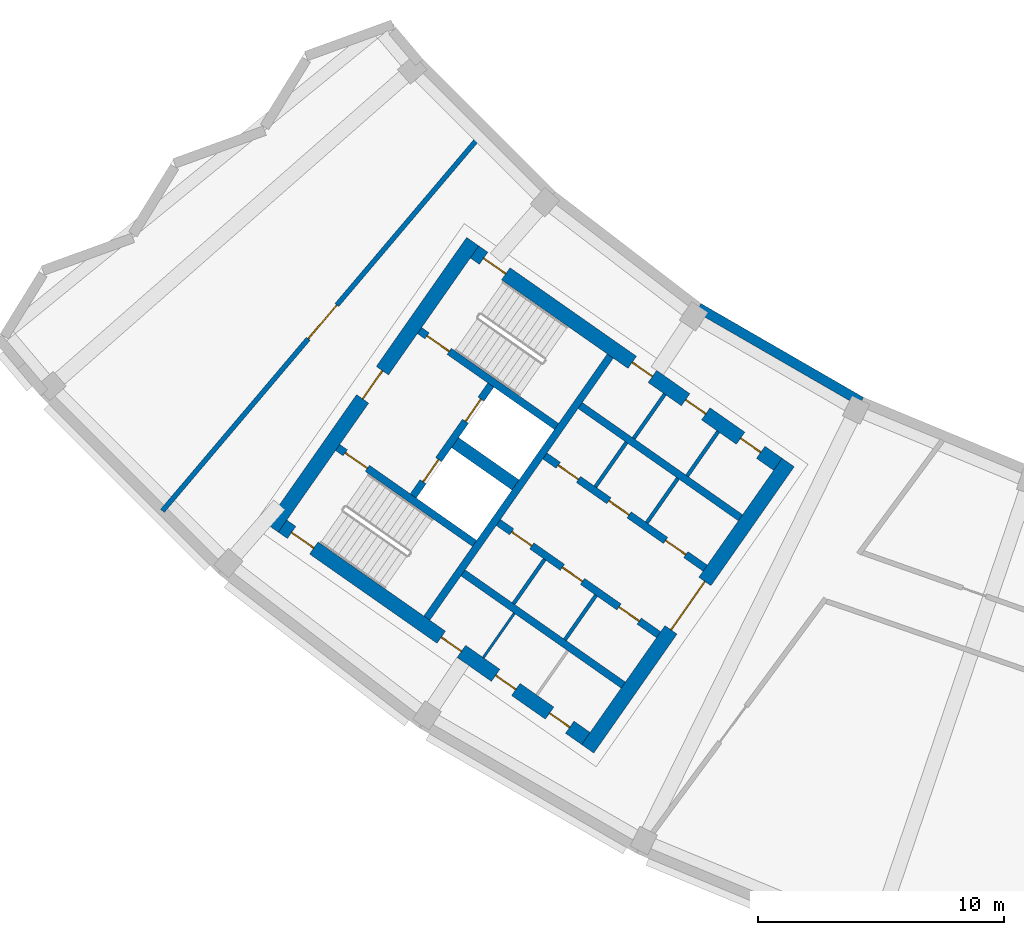
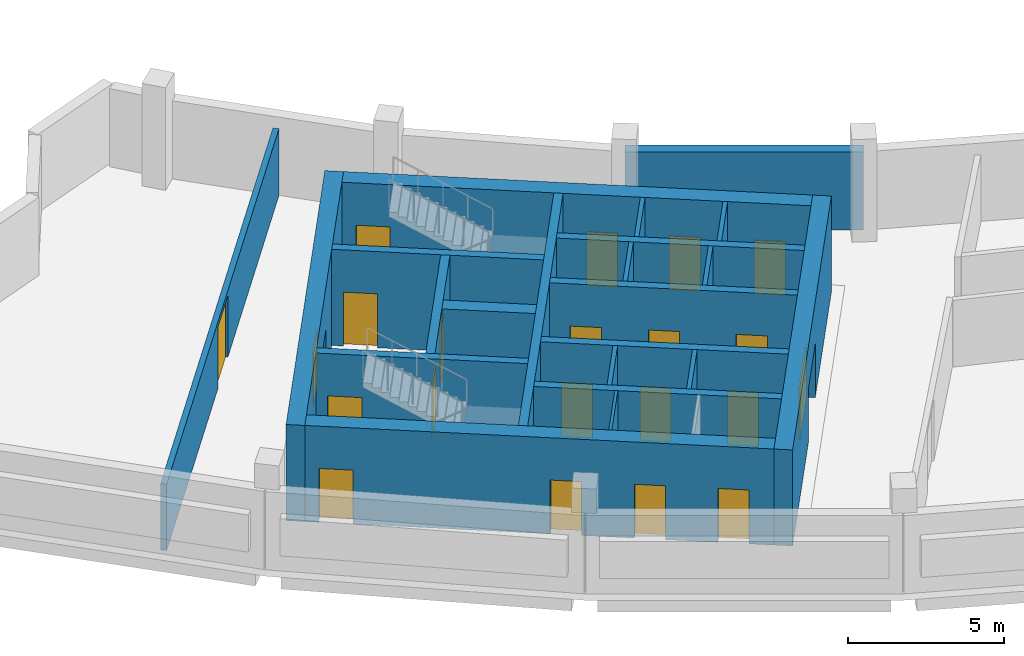
# One storey, part 3 of 11: 22 walls, 21 doors, 21 openings.
"""IFC4 building model written with IfcOpenShell, lengths in metres."""

from ifc_helpers import new_model, si_unit, direction, frame, frame_2d, origin, place, context, subcontext, project, spatial, rectangle, extrude, material, layer, layer_set, type_object, element, fill, save


model = new_model("IFC4")

# Units and contexts
model_context = context("Model", 3, precision=1e-05, world=origin(), true_north=direction((0.0, 1.0)))
body_context = subcontext(model_context, "Body", "Model", "MODEL_VIEW")
ifc_project = project(units=[si_unit("LENGTHUNIT", "METRE"), si_unit("AREAUNIT", "SQUARE_METRE"), si_unit("VOLUMEUNIT", "CUBIC_METRE"), si_unit("PLANEANGLEUNIT", "RADIAN"), si_unit("MASSUNIT", "GRAM", prefix="KILO")], contexts=[model_context])

# Site, building, storey
site_placement = place(None, origin())
site = spatial("IfcSite", under=ifc_project, at=site_placement, CompositionType="ELEMENT")
building_placement = place(site_placement, origin())
building = spatial("IfcBuilding", under=site, at=building_placement, Name="Qamariyya Broadcast Tower", CompositionType="ELEMENT")
storey_placement = place(building_placement, frame((0.0, 0.0, 302.699951171875)))
storey = spatial("IfcBuildingStorey", under=building, at=storey_placement, Name="L73", CompositionType="ELEMENT", Elevation=302.699951171875)

# Wall, opening, door
ifc_material_1 = material(Name="Concrete C60/75", Category="concrete")
ifc_layer_1 = layer(ifc_material_1, 0.60009765625)
ifc_layer_set_1 = layer_set([ifc_layer_1], Name="Core wall 600 mm Concrete C60/75")
wall_type_1 = type_object("IfcWallType", Name="Core wall 600 mm Concrete C60/75", PredefinedType="SHEAR", material=ifc_layer_set_1)
wall_1_placement = place(storey_placement, frame((-36.66748046875, -66.005126953125, 0.0), z_axis=(0.0, 0.0, 1.0), x_axis=(0.573568499524, 0.819157601658, 0.0)))
wall_1 = element("IfcWall", 1, at=wall_1_placement, inside=storey, type_object=wall_type_1, Name="k-W-L73-WA", PredefinedType="SHEAR", context=body_context, shape_type="SweptSolid", body=[
    extrude(rectangle(XDim=14.19970703125, YDim=0.60009765625, at=frame_2d((7.099853515625, 0.0))), origin(), (0.0, 0.0, 1.0), 3.75),
])
opening_1_placement = place(wall_1_placement, frame((5.89990234375, 0.0, 0.0)))
opening_1 = element("IfcOpeningElement", 2, at=opening_1_placement, cuts=wall_1, Name="Opening KD3-W1", PredefinedType="OPENING", context=body_context, shape_type="SweptSolid", body=[
    extrude(rectangle(XDim=2.39990234375, YDim=2.10009765625, at=frame_2d((1.199951171875, 1.050048828125))), frame((0.0, 0.31005859375, 0.0), z_axis=(0.0, -1.0, 0.0), x_axis=(1.0, 0.0, 0.0)), (0.0, 0.0, 1.0), 0.6201171875),
])
ifc_material_2 = material(Name="Steel fire-resisting door leaf", Category="steel")
door_type_1 = type_object("IfcDoorType", Name="Lift lobby door KD3", OperationType="DOUBLE_DOOR_SINGLE_SWING", PredefinedType="DOOR", material=ifc_material_2)
door_1_placement = place(opening_1_placement, origin())
door_1 = element("IfcDoor", 3, at=door_1_placement, inside=storey, type_object=door_type_1, Name="k-W-L73-WA-D1", OperationType="DOUBLE_DOOR_SINGLE_SWING", OverallHeight=2.10009765625, OverallWidth=2.39990234375, PredefinedType="DOOR", context=body_context, shape_type="SweptSolid", body=[
    extrude(rectangle(XDim=2.39990234375, YDim=2.10009765625, at=frame_2d((1.199951171875, 1.050048828125))), frame((0.0, 0.02490234375, 0.0), z_axis=(0.0, -1.0, 0.0), x_axis=(1.0, 0.0, 0.0)), (0.0, 0.0, 1.0), 0.050048828125),
])
fill(opening_1, door_1)

wall_2_placement = place(storey_placement, frame((-49.4833984375, -57.031494140625, 0.0), z_axis=(0.0, 0.0, 1.0), x_axis=(0.573560421458, 0.819163257805, 0.0)))
wall_2 = element("IfcWall", 4, at=wall_2_placement, inside=storey, type_object=wall_type_1, Name="k-W-L73-WH", PredefinedType="SHEAR", context=body_context, shape_type="SweptSolid", body=[
    extrude(rectangle(XDim=14.199951171875, YDim=0.60009765625, at=frame_2d((7.10009765625, 0.0))), origin(), (0.0, 0.0, 1.0), 3.75),
])
opening_2_placement = place(wall_2_placement, frame((6.39990234375, 0.0, 0.0)))
opening_2 = element("IfcOpeningElement", 5, at=opening_2_placement, cuts=wall_2, Name="Opening KD2-W1", PredefinedType="OPENING", context=body_context, shape_type="SweptSolid", body=[
    extrude(rectangle(XDim=1.39990234375, YDim=2.10009765625, at=frame_2d((0.699951171875, 1.050048828125))), frame((0.0, 0.31005859375, 0.0), z_axis=(0.0, -1.0, 0.0), x_axis=(1.0, 0.0, 0.0)), (0.0, 0.0, 1.0), 0.6201171875),
])
door_type_2 = type_object("IfcDoorType", Name="Fire-fighting lobby door KD2", OperationType="DOUBLE_DOOR_SINGLE_SWING", PredefinedType="DOOR", material=ifc_material_2)
door_2_placement = place(opening_2_placement, origin())
door_2 = element("IfcDoor", 6, at=door_2_placement, inside=storey, type_object=door_type_2, Name="k-W-L73-WH-D16", OperationType="DOUBLE_DOOR_SINGLE_SWING", OverallHeight=2.10009765625, OverallWidth=1.39990234375, PredefinedType="DOOR", context=body_context, shape_type="SweptSolid", body=[
    extrude(rectangle(XDim=1.39990234375, YDim=2.10009765625, at=frame_2d((0.699951171875, 1.050048828125))), frame((0.0, 0.02490234375, 0.0), z_axis=(0.0, -1.0, 0.0), x_axis=(1.0, 0.0, 0.0)), (0.0, 0.0, 1.0), 0.050048828125),
])
fill(opening_2, door_2)

# Wall, openings, doors
wall_3_placement = place(storey_placement, frame((-28.940673828125, -54.447021484375, 0.0), z_axis=(0.0, 0.0, 1.0), x_axis=(-0.819153391756, 0.573574511963, 0.0)))
wall_3 = element("IfcWall", 7, at=wall_3_placement, inside=storey, type_object=wall_type_1, Name="k-W-L73-WI", PredefinedType="SHEAR", context=body_context, shape_type="SweptSolid", body=[
    extrude(rectangle(XDim=15.04541015625, YDim=0.60009765625, at=frame_2d((7.522705078125, 0.0))), origin(), (0.0, 0.0, 1.0), 3.75),
])
opening_3_placement = place(wall_3_placement, frame((0.85009765625, 0.0, 0.0)))
opening_3 = element("IfcOpeningElement", 8, at=opening_3_placement, cuts=wall_3, Name="Opening KD4-W7", PredefinedType="OPENING", context=body_context, shape_type="SweptSolid", body=[
    extrude(rectangle(XDim=1.0, YDim=2.10009765625, at=frame_2d((0.5, 1.050048828125))), frame((0.0, 0.31005859375, 0.0), z_axis=(0.0, -1.0, 0.0), x_axis=(1.0, 0.0, 0.0)), (0.0, 0.0, 1.0), 0.6201171875),
])
opening_4_placement = place(wall_3_placement, frame((3.574951171875, 0.0, 0.0)))
opening_4 = element("IfcOpeningElement", 9, at=opening_4_placement, cuts=wall_3, Name="Opening KD4-W8", PredefinedType="OPENING", context=body_context, shape_type="SweptSolid", body=[
    extrude(rectangle(XDim=1.0, YDim=2.10009765625, at=frame_2d((0.5, 1.050048828125))), frame((0.0, 0.31005859375, 0.0), z_axis=(0.0, -1.0, 0.0), x_axis=(1.0, 0.0, 0.0)), (0.0, 0.0, 1.0), 0.6201171875),
])
opening_5_placement = place(wall_3_placement, frame((6.22509765625, 0.0, 0.0)))
opening_5 = element("IfcOpeningElement", 10, at=opening_5_placement, cuts=wall_3, Name="Opening KD4-W9", PredefinedType="OPENING", context=body_context, shape_type="SweptSolid", body=[
    extrude(rectangle(XDim=1.0, YDim=2.10009765625, at=frame_2d((0.5, 1.050048828125))), frame((0.0, 0.31005859375, 0.0), z_axis=(0.0, -1.0, 0.0), x_axis=(1.0, 0.0, 0.0)), (0.0, 0.0, 1.0), 0.6201171875),
])
opening_6_placement = place(wall_3_placement, frame((13.495361328125, 0.0, 0.0)))
opening_6 = element("IfcOpeningElement", 11, at=opening_6_placement, cuts=wall_3, Name="Opening KD1-W1", PredefinedType="OPENING", context=body_context, shape_type="SweptSolid", body=[
    extrude(rectangle(XDim=1.10009765625, YDim=2.10009765625, at=frame_2d((0.550048828125, 1.050048828125))), frame((0.0, 0.31005859375, 0.0), z_axis=(0.0, -1.0, 0.0), x_axis=(1.0, 0.0, 0.0)), (0.0, 0.0, 1.0), 0.6201171875),
])
door_type_3 = type_object("IfcDoorType", Name="Riser and plant door KD4", OperationType="SINGLE_SWING_LEFT", PredefinedType="DOOR", material=ifc_material_2)
door_3_placement = place(opening_3_placement, origin())
door_3 = element("IfcDoor", 12, at=door_3_placement, inside=storey, type_object=door_type_3, Name="k-W-L73-WI-D8", OperationType="SINGLE_SWING_LEFT", OverallHeight=2.10009765625, OverallWidth=1.0, PredefinedType="DOOR", context=body_context, shape_type="SweptSolid", body=[
    extrude(rectangle(XDim=1.0, YDim=2.10009765625, at=frame_2d((0.5, 1.050048828125))), frame((0.0, 0.02490234375, 0.0), z_axis=(0.0, -1.0, 0.0), x_axis=(1.0, 0.0, 0.0)), (0.0, 0.0, 1.0), 0.050048828125),
])
fill(opening_3, door_3)
door_4_placement = place(opening_4_placement, origin())
door_4 = element("IfcDoor", 13, at=door_4_placement, inside=storey, type_object=door_type_3, Name="k-W-L73-WI-D9", OperationType="SINGLE_SWING_RIGHT", OverallHeight=2.10009765625, OverallWidth=1.0, PredefinedType="DOOR", context=body_context, shape_type="SweptSolid", body=[
    extrude(rectangle(XDim=1.0, YDim=2.10009765625, at=frame_2d((0.5, 1.050048828125))), frame((0.0, 0.02490234375, 0.0), z_axis=(0.0, -1.0, 0.0), x_axis=(1.0, 0.0, 0.0)), (0.0, 0.0, 1.0), 0.050048828125),
])
fill(opening_4, door_4)
door_5_placement = place(opening_5_placement, origin())
door_5 = element("IfcDoor", 14, at=door_5_placement, inside=storey, type_object=door_type_3, Name="k-W-L73-WI-D10", OperationType="SINGLE_SWING_LEFT", OverallHeight=2.10009765625, OverallWidth=1.0, PredefinedType="DOOR", context=body_context, shape_type="SweptSolid", body=[
    extrude(rectangle(XDim=1.0, YDim=2.10009765625, at=frame_2d((0.5, 1.050048828125))), frame((0.0, 0.02490234375, 0.0), z_axis=(0.0, -1.0, 0.0), x_axis=(1.0, 0.0, 0.0)), (0.0, 0.0, 1.0), 0.050048828125),
])
fill(opening_5, door_5)
door_type_4 = type_object("IfcDoorType", Name="Stair door KD1", OperationType="SINGLE_SWING_LEFT", PredefinedType="DOOR", material=ifc_material_2)
door_6_placement = place(opening_6_placement, origin())
door_6 = element("IfcDoor", 15, at=door_6_placement, inside=storey, type_object=door_type_4, Name="k-W-L73-WI-D17", OperationType="SINGLE_SWING_RIGHT", OverallHeight=2.10009765625, OverallWidth=1.10009765625, PredefinedType="DOOR", context=body_context, shape_type="SweptSolid", body=[
    extrude(rectangle(XDim=1.10009765625, YDim=2.10009765625, at=frame_2d((0.550048828125, 1.050048828125))), frame((0.0, 0.02490234375, 0.0), z_axis=(0.0, -1.0, 0.0), x_axis=(1.0, 0.0, 0.0)), (0.0, 0.0, 1.0), 0.050048828125),
])
fill(opening_6, door_6)

wall_4_placement = place(storey_placement, frame((-36.7412109375, -65.58740234375, 0.0), z_axis=(0.0, 0.0, 1.0), x_axis=(-0.819153391756, 0.573574511963, 0.0)))
wall_4 = element("IfcWall", 16, at=wall_4_placement, inside=storey, type_object=wall_type_1, Name="k-W-L73-WO", PredefinedType="SHEAR", context=body_context, shape_type="SweptSolid", body=[
    extrude(rectangle(XDim=15.04541015625, YDim=0.60009765625, at=frame_2d((7.522705078125, 0.0))), origin(), (0.0, 0.0, 1.0), 3.75),
])
opening_7_placement = place(wall_4_placement, frame((0.800048828125, 0.0, 0.0)))
opening_7 = element("IfcOpeningElement", 17, at=opening_7_placement, cuts=wall_4, Name="Opening KD4-W10", PredefinedType="OPENING", context=body_context, shape_type="SweptSolid", body=[
    extrude(rectangle(XDim=1.0, YDim=2.10009765625, at=frame_2d((0.5, 1.050048828125))), frame((0.0, 0.31005859375, 0.0), z_axis=(0.0, -1.0, 0.0), x_axis=(1.0, 0.0, 0.0)), (0.0, 0.0, 1.0), 0.6201171875),
])
opening_8_placement = place(wall_4_placement, frame((3.47509765625, 0.0, 0.0)))
opening_8 = element("IfcOpeningElement", 18, at=opening_8_placement, cuts=wall_4, Name="Opening KD4-W11", PredefinedType="OPENING", context=body_context, shape_type="SweptSolid", body=[
    extrude(rectangle(XDim=1.0, YDim=2.10009765625, at=frame_2d((0.5, 1.050048828125))), frame((0.0, 0.31005859375, 0.0), z_axis=(0.0, -1.0, 0.0), x_axis=(1.0, 0.0, 0.0)), (0.0, 0.0, 1.0), 0.6201171875),
])
opening_9_placement = place(wall_4_placement, frame((6.175048828125, 0.0, 0.0)))
opening_9 = element("IfcOpeningElement", 19, at=opening_9_placement, cuts=wall_4, Name="Opening KD4-W12", PredefinedType="OPENING", context=body_context, shape_type="SweptSolid", body=[
    extrude(rectangle(XDim=1.0, YDim=2.10009765625, at=frame_2d((0.5, 1.050048828125))), frame((0.0, 0.31005859375, 0.0), z_axis=(0.0, -1.0, 0.0), x_axis=(1.0, 0.0, 0.0)), (0.0, 0.0, 1.0), 0.6201171875),
])
opening_10_placement = place(wall_4_placement, frame((13.495361328125, 0.0, 0.0)))
opening_10 = element("IfcOpeningElement", 20, at=opening_10_placement, cuts=wall_4, Name="Opening KD1-W3", PredefinedType="OPENING", context=body_context, shape_type="SweptSolid", body=[
    extrude(rectangle(XDim=1.10009765625, YDim=2.10009765625, at=frame_2d((0.550048828125, 1.050048828125))), frame((0.0, 0.31005859375, 0.0), z_axis=(0.0, -1.0, 0.0), x_axis=(1.0, 0.0, 0.0)), (0.0, 0.0, 1.0), 0.6201171875),
])
door_7_placement = place(opening_7_placement, origin())
door_7 = element("IfcDoor", 21, at=door_7_placement, inside=storey, type_object=door_type_3, Name="k-W-L73-WO-D11", OperationType="SINGLE_SWING_RIGHT", OverallHeight=2.10009765625, OverallWidth=1.0, PredefinedType="DOOR", context=body_context, shape_type="SweptSolid", body=[
    extrude(rectangle(XDim=1.0, YDim=2.10009765625, at=frame_2d((0.5, 1.050048828125))), frame((0.0, 0.02490234375, 0.0), z_axis=(0.0, -1.0, 0.0), x_axis=(1.0, 0.0, 0.0)), (0.0, 0.0, 1.0), 0.050048828125),
])
fill(opening_7, door_7)
door_8_placement = place(opening_8_placement, origin())
door_8 = element("IfcDoor", 22, at=door_8_placement, inside=storey, type_object=door_type_3, Name="k-W-L73-WO-D12", OperationType="SINGLE_SWING_LEFT", OverallHeight=2.10009765625, OverallWidth=1.0, PredefinedType="DOOR", context=body_context, shape_type="SweptSolid", body=[
    extrude(rectangle(XDim=1.0, YDim=2.10009765625, at=frame_2d((0.5, 1.050048828125))), frame((0.0, 0.02490234375, 0.0), z_axis=(0.0, -1.0, 0.0), x_axis=(1.0, 0.0, 0.0)), (0.0, 0.0, 1.0), 0.050048828125),
])
fill(opening_8, door_8)
door_9_placement = place(opening_9_placement, origin())
door_9 = element("IfcDoor", 23, at=door_9_placement, inside=storey, type_object=door_type_3, Name="k-W-L73-WO-D13", OperationType="SINGLE_SWING_RIGHT", OverallHeight=2.10009765625, OverallWidth=1.0, PredefinedType="DOOR", context=body_context, shape_type="SweptSolid", body=[
    extrude(rectangle(XDim=1.0, YDim=2.10009765625, at=frame_2d((0.5, 1.050048828125))), frame((0.0, 0.02490234375, 0.0), z_axis=(0.0, -1.0, 0.0), x_axis=(1.0, 0.0, 0.0)), (0.0, 0.0, 1.0), 0.050048828125),
])
fill(opening_9, door_9)
door_10_placement = place(opening_10_placement, origin())
door_10 = element("IfcDoor", 24, at=door_10_placement, inside=storey, type_object=door_type_4, Name="k-W-L73-WO-D19", OperationType="SINGLE_SWING_LEFT", OverallHeight=2.10009765625, OverallWidth=1.10009765625, PredefinedType="DOOR", context=body_context, shape_type="SweptSolid", body=[
    extrude(rectangle(XDim=1.10009765625, YDim=2.10009765625, at=frame_2d((0.550048828125, 1.050048828125))), frame((0.0, 0.02490234375, 0.0), z_axis=(0.0, -1.0, 0.0), x_axis=(1.0, 0.0, 0.0)), (0.0, 0.0, 1.0), 0.050048828125),
])
fill(opening_10, door_10)

# Walls
ifc_layer_2 = layer(ifc_material_1, 0.5)
ifc_layer_set_2 = layer_set([ifc_layer_2], Name="Fire-fighting lobby divider wall 500 mm Concrete C60/75")
wall_type_2 = type_object("IfcWallType", Name="Fire-fighting lobby divider wall 500 mm Concrete C60/75", PredefinedType="SOLIDWALL", material=ifc_layer_set_2)
wall_5_placement = place(storey_placement, frame((-39.59912109375, -55.28515625, 0.0), z_axis=(0.0, 0.0, 1.0), x_axis=(-0.819136323161, 0.573598887793, 0.0)))
element("IfcWall", 25, at=wall_5_placement, inside=storey, type_object=wall_type_2, Name="k-W-L73-FD", PredefinedType="SOLIDWALL", context=body_context, shape_type="SweptSolid", body=[
    extrude(rectangle(XDim=2.999755859375, YDim=0.5, at=frame_2d((1.5, 0.0))), origin(), (0.0, 0.0, 1.0), 3.75),
])
ifc_material_3 = material(Name="Gypsum board partition on steel studs", Category="steel")
ifc_layer_3 = layer(ifc_material_3, 0.14990234375)
ifc_layer_set_3 = layer_set([ifc_layer_3], Name="Gypsum board partition 150 mm")
wall_type_3 = type_object("IfcWallType", Name="Gypsum board partition 150 mm", PredefinedType="PARTITIONING", material=ifc_layer_set_3)
for number, where, z_axis, x_axis, name in (
    (26, (-34.26611328125, -56.822021484375, 0.0), (0.0, 0.0, 1.0), (0.573581496053, 0.819148501424, 0.0), "k-W-L73-NC300"),
    (27, (-36.35498046875, -55.359375, 0.0), (0.0, 0.0, 1.0), (0.573581496053, 0.819148501424, 0.0), "k-W-L73-NC555"),
):
    element("IfcWall", number, at=place(storey_placement, frame(where, z_axis=z_axis, x_axis=x_axis)), inside=storey, type_object=wall_type_3, Name=name, PredefinedType="PARTITIONING", context=body_context, shape_type="SweptSolid", body=[
        extrude(rectangle(XDim=2.2001953125, YDim=0.14990234375, at=frame_2d((1.10009765625, 0.0))), origin(), (0.0, 0.0, 1.0), 3.75),
    ])
for number, where, z_axis, x_axis, name in (
    (28, (-36.330810546875, -59.77099609375, 0.0), (0.0, 0.0, 1.0), (-0.573633636671, -0.819111989218, 0.0), "k-W-L73-SC300"),
    (29, (-38.419677734375, -58.308349609375, 0.0), (0.0, 0.0, 1.0), (-0.573633636671, -0.819111989218, 0.0), "k-W-L73-SC555"),
    (30, (-32.627197265625, -54.91748046875, 0.0), (0.0, 0.0, 1.0), (0.573507030513, 0.819200638399, 0.0), "k-W-L73-NP275"),
    (31, (-34.798095703125, -53.3974609375, 0.0), (0.0, 0.0, 1.0), (0.573633636671, 0.819111989218, 0.0), "k-W-L73-NP540"),
):
    element("IfcWall", number, at=place(storey_placement, frame(where, z_axis=z_axis, x_axis=x_axis)), inside=storey, type_object=wall_type_3, Name=name, PredefinedType="PARTITIONING", context=body_context, shape_type="SweptSolid", body=[
        extrude(rectangle(XDim=2.199951171875, YDim=0.14990234375, at=frame_2d((1.10009765625, 0.0))), origin(), (0.0, 0.0, 1.0), 3.75),
    ])
ifc_layer_4 = layer(ifc_material_1, 0.300048828125)
ifc_layer_set_4 = layer_set([ifc_layer_4], Name="Lift shaft wall 300 mm Concrete C60/75")
wall_type_4 = type_object("IfcWallType", Name="Lift shaft wall 300 mm Concrete C60/75", PredefinedType="SOLIDWALL", material=ifc_layer_set_4)
wall_6_placement = place(storey_placement, frame((-43.204345703125, -60.69580078125, 0.0), z_axis=(0.0, 0.0, 1.0), x_axis=(0.573571992966, 0.819155155563, 0.0)))
element("IfcWall", 32, at=wall_6_placement, inside=storey, type_object=wall_type_4, Name="k-W-L73-WL", PredefinedType="SOLIDWALL", context=body_context, shape_type="SweptSolid", body=[
    extrude(rectangle(XDim=13.000244140625, YDim=0.300048828125, at=frame_2d((6.5, 0.0))), origin(), (0.0, 0.0, 1.0), 3.75),
])

# Wall, openings, doors
wall_7_placement = place(storey_placement, frame((-31.89453125, -58.66552734375, 0.0), z_axis=(0.0, 0.0, 1.0), x_axis=(-0.819166993208, 0.573555086491, 0.0)))
wall_7 = element("IfcWall", 33, at=wall_7_placement, inside=storey, type_object=wall_type_4, Name="k-W-L73-NF0", PredefinedType="SOLIDWALL", context=body_context, shape_type="SweptSolid", body=[
    extrude(rectangle(XDim=7.9501953125, YDim=0.300048828125, at=frame_2d((3.97509765625, 0.0))), origin(), (0.0, 0.0, 1.0), 3.75),
])
opening_11_placement = place(wall_7_placement, frame((0.96240234375, 0.0, 0.0)))
opening_11 = element("IfcOpeningElement", 34, at=opening_11_placement, cuts=wall_7, Name="Opening KD4-W1", PredefinedType="OPENING", context=body_context, shape_type="SweptSolid", body=[
    extrude(rectangle(XDim=1.0, YDim=2.10009765625, at=frame_2d((0.5, 1.050048828125))), frame((0.0, 0.159912109375, 0.0), z_axis=(0.0, -1.0, 0.0), x_axis=(1.0, 0.0, 0.0)), (0.0, 0.0, 1.0), 0.320068359375),
])
opening_12_placement = place(wall_7_placement, frame((3.77490234375, 0.0, 0.0)))
opening_12 = element("IfcOpeningElement", 35, at=opening_12_placement, cuts=wall_7, Name="Opening KD4-W2", PredefinedType="OPENING", context=body_context, shape_type="SweptSolid", body=[
    extrude(rectangle(XDim=1.0, YDim=2.10009765625, at=frame_2d((0.5, 1.050048828125))), frame((0.0, 0.159912109375, 0.0), z_axis=(0.0, -1.0, 0.0), x_axis=(1.0, 0.0, 0.0)), (0.0, 0.0, 1.0), 0.320068359375),
])
opening_13_placement = place(wall_7_placement, frame((6.28759765625, 0.0, 0.0)))
opening_13 = element("IfcOpeningElement", 36, at=opening_13_placement, cuts=wall_7, Name="Opening KD4-W3", PredefinedType="OPENING", context=body_context, shape_type="SweptSolid", body=[
    extrude(rectangle(XDim=1.0, YDim=2.10009765625, at=frame_2d((0.5, 1.050048828125))), frame((0.0, 0.159912109375, 0.0), z_axis=(0.0, -1.0, 0.0), x_axis=(1.0, 0.0, 0.0)), (0.0, 0.0, 1.0), 0.320068359375),
])
door_11_placement = place(opening_11_placement, origin())
door_11 = element("IfcDoor", 37, at=door_11_placement, inside=storey, type_object=door_type_3, Name="k-W-L73-NF0-D2", OperationType="SINGLE_SWING_LEFT", OverallHeight=2.10009765625, OverallWidth=1.0, PredefinedType="DOOR", context=body_context, shape_type="SweptSolid", body=[
    extrude(rectangle(XDim=1.0, YDim=2.10009765625, at=frame_2d((0.5, 1.050048828125))), frame((0.0, 0.02490234375, 0.0), z_axis=(0.0, -1.0, 0.0), x_axis=(1.0, 0.0, 0.0)), (0.0, 0.0, 1.0), 0.050048828125),
])
fill(opening_11, door_11)
door_12_placement = place(opening_12_placement, origin())
door_12 = element("IfcDoor", 38, at=door_12_placement, inside=storey, type_object=door_type_3, Name="k-W-L73-NF0-D3", OperationType="SINGLE_SWING_RIGHT", OverallHeight=2.10009765625, OverallWidth=1.0, PredefinedType="DOOR", context=body_context, shape_type="SweptSolid", body=[
    extrude(rectangle(XDim=1.0, YDim=2.10009765625, at=frame_2d((0.5, 1.050048828125))), frame((0.0, 0.02490234375, 0.0), z_axis=(0.0, -1.0, 0.0), x_axis=(1.0, 0.0, 0.0)), (0.0, 0.0, 1.0), 0.050048828125),
])
fill(opening_12, door_12)
door_13_placement = place(opening_13_placement, origin())
door_13 = element("IfcDoor", 39, at=door_13_placement, inside=storey, type_object=door_type_3, Name="k-W-L73-NF0-D4", OperationType="SINGLE_SWING_LEFT", OverallHeight=2.10009765625, OverallWidth=1.0, PredefinedType="DOOR", context=body_context, shape_type="SweptSolid", body=[
    extrude(rectangle(XDim=1.0, YDim=2.10009765625, at=frame_2d((0.5, 1.050048828125))), frame((0.0, 0.02490234375, 0.0), z_axis=(0.0, -1.0, 0.0), x_axis=(1.0, 0.0, 0.0)), (0.0, 0.0, 1.0), 0.050048828125),
])
fill(opening_13, door_13)

# Wall
wall_8_placement = place(storey_placement, frame((-30.460693359375, -56.61767578125, 0.0), z_axis=(0.0, 0.0, 1.0), x_axis=(-0.819142461705, 0.573590121456, 0.0)))
element("IfcWall", 40, at=wall_8_placement, inside=storey, type_object=wall_type_4, Name="k-W-L73-NB0", PredefinedType="SOLIDWALL", context=body_context, shape_type="SweptSolid", body=[
    extrude(rectangle(XDim=7.949951171875, YDim=0.300048828125, at=frame_2d((3.97509765625, 0.0))), origin(), (0.0, 0.0, 1.0), 3.75),
])

# Wall, openings, doors
wall_9_placement = place(storey_placement, frame((-33.787353515625, -61.368896484375, 0.0), z_axis=(0.0, 0.0, 1.0), x_axis=(-0.819152564888, 0.573575692858, 0.0)))
wall_9 = element("IfcWall", 41, at=wall_9_placement, inside=storey, type_object=wall_type_4, Name="k-W-L73-SF0", PredefinedType="SOLIDWALL", context=body_context, shape_type="SweptSolid", body=[
    extrude(rectangle(XDim=7.9501953125, YDim=0.300048828125, at=frame_2d((3.97509765625, 0.0))), origin(), (0.0, 0.0, 1.0), 3.75),
])
opening_14_placement = place(wall_9_placement, frame((0.96240234375, 0.0, 0.0)))
opening_14 = element("IfcOpeningElement", 42, at=opening_14_placement, cuts=wall_9, Name="Opening KD4-W4", PredefinedType="OPENING", context=body_context, shape_type="SweptSolid", body=[
    extrude(rectangle(XDim=1.0, YDim=2.10009765625, at=frame_2d((0.5, 1.050048828125))), frame((0.0, 0.159912109375, 0.0), z_axis=(0.0, -1.0, 0.0), x_axis=(1.0, 0.0, 0.0)), (0.0, 0.0, 1.0), 0.320068359375),
])
opening_15_placement = place(wall_9_placement, frame((3.77490234375, 0.0, 0.0)))
opening_15 = element("IfcOpeningElement", 43, at=opening_15_placement, cuts=wall_9, Name="Opening KD4-W5", PredefinedType="OPENING", context=body_context, shape_type="SweptSolid", body=[
    extrude(rectangle(XDim=1.0, YDim=2.10009765625, at=frame_2d((0.5, 1.050048828125))), frame((0.0, 0.159912109375, 0.0), z_axis=(0.0, -1.0, 0.0), x_axis=(1.0, 0.0, 0.0)), (0.0, 0.0, 1.0), 0.320068359375),
])
opening_16_placement = place(wall_9_placement, frame((6.28759765625, 0.0, 0.0)))
opening_16 = element("IfcOpeningElement", 44, at=opening_16_placement, cuts=wall_9, Name="Opening KD4-W6", PredefinedType="OPENING", context=body_context, shape_type="SweptSolid", body=[
    extrude(rectangle(XDim=1.0, YDim=2.10009765625, at=frame_2d((0.5, 1.050048828125))), frame((0.0, 0.159912109375, 0.0), z_axis=(0.0, -1.0, 0.0), x_axis=(1.0, 0.0, 0.0)), (0.0, 0.0, 1.0), 0.320068359375),
])
door_14_placement = place(opening_14_placement, origin())
door_14 = element("IfcDoor", 45, at=door_14_placement, inside=storey, type_object=door_type_3, Name="k-W-L73-SF0-D5", OperationType="SINGLE_SWING_RIGHT", OverallHeight=2.10009765625, OverallWidth=1.0, PredefinedType="DOOR", context=body_context, shape_type="SweptSolid", body=[
    extrude(rectangle(XDim=1.0, YDim=2.10009765625, at=frame_2d((0.5, 1.050048828125))), frame((0.0, 0.02490234375, 0.0), z_axis=(0.0, -1.0, 0.0), x_axis=(1.0, 0.0, 0.0)), (0.0, 0.0, 1.0), 0.050048828125),
])
fill(opening_14, door_14)
door_15_placement = place(opening_15_placement, origin())
door_15 = element("IfcDoor", 46, at=door_15_placement, inside=storey, type_object=door_type_3, Name="k-W-L73-SF0-D6", OperationType="SINGLE_SWING_LEFT", OverallHeight=2.10009765625, OverallWidth=1.0, PredefinedType="DOOR", context=body_context, shape_type="SweptSolid", body=[
    extrude(rectangle(XDim=1.0, YDim=2.10009765625, at=frame_2d((0.5, 1.050048828125))), frame((0.0, 0.02490234375, 0.0), z_axis=(0.0, -1.0, 0.0), x_axis=(1.0, 0.0, 0.0)), (0.0, 0.0, 1.0), 0.050048828125),
])
fill(opening_15, door_15)
door_16_placement = place(opening_16_placement, origin())
door_16 = element("IfcDoor", 47, at=door_16_placement, inside=storey, type_object=door_type_3, Name="k-W-L73-SF0-D7", OperationType="SINGLE_SWING_RIGHT", OverallHeight=2.10009765625, OverallWidth=1.0, PredefinedType="DOOR", context=body_context, shape_type="SweptSolid", body=[
    extrude(rectangle(XDim=1.0, YDim=2.10009765625, at=frame_2d((0.5, 1.050048828125))), frame((0.0, 0.02490234375, 0.0), z_axis=(0.0, -1.0, 0.0), x_axis=(1.0, 0.0, 0.0)), (0.0, 0.0, 1.0), 0.050048828125),
])
fill(opening_16, door_16)

# Wall
wall_10_placement = place(storey_placement, frame((-35.22119140625, -63.41650390625, 0.0), z_axis=(0.0, 0.0, 1.0), x_axis=(-0.819166993208, 0.573555086491, 0.0)))
element("IfcWall", 48, at=wall_10_placement, inside=storey, type_object=wall_type_4, Name="k-W-L73-SB0", PredefinedType="SOLIDWALL", context=body_context, shape_type="SweptSolid", body=[
    extrude(rectangle(XDim=7.9501953125, YDim=0.300048828125, at=frame_2d((3.97509765625, 0.0))), origin(), (0.0, 0.0, 1.0), 3.75),
])

# Wall, opening, door
wall_11_placement = place(storey_placement, frame((-37.935546875, -52.90966796875, 0.0), z_axis=(0.0, 0.0, 1.0), x_axis=(-0.819147518138, 0.57358290031, 0.0)))
wall_11 = element("IfcWall", 49, at=wall_11_placement, inside=storey, type_object=wall_type_4, Name="k-W-L73-NW", PredefinedType="SOLIDWALL", context=body_context, shape_type="SweptSolid", body=[
    extrude(rectangle(XDim=6.79541015625, YDim=0.300048828125, at=frame_2d((3.397705078125, 0.0))), origin(), (0.0, 0.0, 1.0), 3.75),
])
opening_17_placement = place(wall_11_placement, frame((5.3203125, 0.0, 0.0)))
opening_17 = element("IfcOpeningElement", 50, at=opening_17_placement, cuts=wall_11, Name="Opening KD1-W2", PredefinedType="OPENING", context=body_context, shape_type="SweptSolid", body=[
    extrude(rectangle(XDim=1.10009765625, YDim=2.10009765625, at=frame_2d((0.550048828125, 1.050048828125))), frame((0.0, 0.159912109375, 0.0), z_axis=(0.0, -1.0, 0.0), x_axis=(1.0, 0.0, 0.0)), (0.0, 0.0, 1.0), 0.320068359375),
])
door_17_placement = place(opening_17_placement, origin())
door_17 = element("IfcDoor", 51, at=door_17_placement, inside=storey, type_object=door_type_4, Name="k-W-L73-NW-D18", OperationType="SINGLE_SWING_LEFT", OverallHeight=2.10009765625, OverallWidth=1.10009765625, PredefinedType="DOOR", context=body_context, shape_type="SweptSolid", body=[
    extrude(rectangle(XDim=1.10009765625, YDim=2.10009765625, at=frame_2d((0.550048828125, 1.050048828125))), frame((0.0, 0.02490234375, 0.0), z_axis=(0.0, -1.0, 0.0), x_axis=(1.0, 0.0, 0.0)), (0.0, 0.0, 1.0), 0.050048828125),
])
fill(opening_17, door_17)

wall_12_placement = place(storey_placement, frame((-41.262451171875, -57.66064453125, 0.0), z_axis=(0.0, 0.0, 1.0), x_axis=(-0.819164398642, 0.573558792102, 0.0)))
wall_12 = element("IfcWall", 52, at=wall_12_placement, inside=storey, type_object=wall_type_4, Name="k-W-L73-SW", PredefinedType="SOLIDWALL", context=body_context, shape_type="SweptSolid", body=[
    extrude(rectangle(XDim=6.795166015625, YDim=0.300048828125, at=frame_2d((3.3974609375, 0.0))), origin(), (0.0, 0.0, 1.0), 3.75),
])
opening_18_placement = place(wall_12_placement, frame((5.3203125, 0.0, 0.0)))
opening_18 = element("IfcOpeningElement", 53, at=opening_18_placement, cuts=wall_12, Name="Opening KD1-W4", PredefinedType="OPENING", context=body_context, shape_type="SweptSolid", body=[
    extrude(rectangle(XDim=1.10009765625, YDim=2.10009765625, at=frame_2d((0.550048828125, 1.050048828125))), frame((0.0, 0.159912109375, 0.0), z_axis=(0.0, -1.0, 0.0), x_axis=(1.0, 0.0, 0.0)), (0.0, 0.0, 1.0), 0.320068359375),
])
door_18_placement = place(opening_18_placement, origin())
door_18 = element("IfcDoor", 54, at=door_18_placement, inside=storey, type_object=door_type_4, Name="k-W-L73-SW-D20", OperationType="SINGLE_SWING_LEFT", OverallHeight=2.10009765625, OverallWidth=1.10009765625, PredefinedType="DOOR", context=body_context, shape_type="SweptSolid", body=[
    extrude(rectangle(XDim=1.10009765625, YDim=2.10009765625, at=frame_2d((0.550048828125, 1.050048828125))), frame((0.0, 0.02490234375, 0.0), z_axis=(0.0, -1.0, 0.0), x_axis=(1.0, 0.0, 0.0)), (0.0, 0.0, 1.0), 0.050048828125),
])
fill(opening_18, door_18)

# Wall, openings, doors
wall_13_placement = place(storey_placement, frame((-43.756591796875, -55.731201171875, 0.0), z_axis=(0.0, 0.0, 1.0), x_axis=(0.573536818435, 0.819179783625, 0.0)))
wall_13 = element("IfcWall", 55, at=wall_13_placement, inside=storey, type_object=wall_type_4, Name="k-W-L73-FF", PredefinedType="SOLIDWALL", context=body_context, shape_type="SweptSolid", body=[
    extrude(rectangle(XDim=5.500244140625, YDim=0.300048828125, at=frame_2d((2.75, 0.0))), origin(), (0.0, 0.0, 1.0), 3.75),
])
opening_19_placement = place(wall_13_placement, frame((0.699951171875, 0.0, 0.0)))
opening_19 = element("IfcOpeningElement", 56, at=opening_19_placement, cuts=wall_13, Name="Opening LD", PredefinedType="OPENING", context=body_context, shape_type="SweptSolid", body=[
    extrude(rectangle(XDim=1.10009765625, YDim=2.10009765625, at=frame_2d((0.550048828125, 1.050048828125))), frame((0.0, 0.159912109375, 0.0), z_axis=(0.0, -1.0, 0.0), x_axis=(1.0, 0.0, 0.0)), (0.0, 0.0, 1.0), 0.320068359375),
])
opening_20_placement = place(wall_13_placement, frame((3.699951171875, 0.0, 0.0)))
opening_20 = element("IfcOpeningElement", 57, at=opening_20_placement, cuts=wall_13, Name="Opening LD", PredefinedType="OPENING", context=body_context, shape_type="SweptSolid", body=[
    extrude(rectangle(XDim=1.10009765625, YDim=2.10009765625, at=frame_2d((0.550048828125, 1.050048828125))), frame((0.0, 0.159912109375, 0.0), z_axis=(0.0, -1.0, 0.0), x_axis=(1.0, 0.0, 0.0)), (0.0, 0.0, 1.0), 0.320068359375),
])
door_type_5 = type_object("IfcDoorType", Name="Lift landing door LD", OperationType="DOUBLE_DOOR_SLIDING", PredefinedType="DOOR", material=ifc_material_2)
door_19_placement = place(opening_19_placement, origin())
door_19 = element("IfcDoor", 58, at=door_19_placement, inside=storey, type_object=door_type_5, Name="k-W-L73-FF-D14", OperationType="DOUBLE_DOOR_SLIDING", OverallHeight=2.10009765625, OverallWidth=1.10009765625, PredefinedType="DOOR", context=body_context, shape_type="SweptSolid", body=[
    extrude(rectangle(XDim=1.10009765625, YDim=2.10009765625, at=frame_2d((0.550048828125, 1.050048828125))), frame((0.0, 0.02490234375, 0.0), z_axis=(0.0, -1.0, 0.0), x_axis=(1.0, 0.0, 0.0)), (0.0, 0.0, 1.0), 0.050048828125),
])
fill(opening_19, door_19)
door_20_placement = place(opening_20_placement, origin())
door_20 = element("IfcDoor", 59, at=door_20_placement, inside=storey, type_object=door_type_5, Name="k-W-L73-FF-D15", OperationType="DOUBLE_DOOR_SLIDING", OverallHeight=2.10009765625, OverallWidth=1.10009765625, PredefinedType="DOOR", context=body_context, shape_type="SweptSolid", body=[
    extrude(rectangle(XDim=1.10009765625, YDim=2.10009765625, at=frame_2d((0.550048828125, 1.050048828125))), frame((0.0, 0.02490234375, 0.0), z_axis=(0.0, -1.0, 0.0), x_axis=(1.0, 0.0, 0.0)), (0.0, 0.0, 1.0), 0.050048828125),
])
fill(opening_20, door_20)

# Wall, opening, door
ifc_material_4 = material(Name="Masonry block wall", Category="masonry")
ifc_layer_5 = layer(ifc_material_4, 0.199951171875)
ifc_layer_set_5 = layer_set([ifc_layer_5], Name="Plant room wall 200 EI 120")
wall_type_5 = type_object("IfcWallType", Name="Plant room wall 200 EI 120", PredefinedType="PARTITIONING", material=ifc_layer_set_5)
wall_14_placement = place(storey_placement, frame((-53.946044921875, -56.33837890625, 0.0), z_axis=(0.0, 0.0, 1.0), x_axis=(0.646426079671, 0.76297662056, 0.0)))
wall_14 = element("IfcWall", 60, at=wall_14_placement, inside=storey, type_object=wall_type_5, Name="Partition L73-001", PredefinedType="PARTITIONING", context=body_context, shape_type="SweptSolid", body=[
    extrude(rectangle(XDim=20.1259765625, YDim=0.199951171875, at=frame_2d((10.06298828125, 0.0))), origin(), (0.0, 0.0, 1.0), 2.60009765625),
])
opening_21_placement = place(wall_14_placement, frame((9.1630859375, 0.0, 0.0)))
opening_21 = element("IfcOpeningElement", 61, at=opening_21_placement, cuts=wall_14, Name="Opening L73-D10", PredefinedType="OPENING", context=body_context, shape_type="SweptSolid", body=[
    extrude(rectangle(XDim=1.800048828125, YDim=2.39990234375, at=frame_2d((0.89990234375, 1.199951171875))), frame((0.0, 0.10986328125, 0.0), z_axis=(0.0, -1.0, 0.0), x_axis=(1.0, 0.0, 0.0)), (0.0, 0.0, 1.0), 0.219970703125),
])
ifc_material_5 = material(Name="Insulated metal door leaf")
door_type_6 = type_object("IfcDoorType", Name="Plant double door 1800 x 2400 FD120", OperationType="NOTDEFINED", PredefinedType="DOOR", material=ifc_material_5)
door_21_placement = place(opening_21_placement, origin())
door_21 = element("IfcDoor", 62, at=door_21_placement, inside=storey, type_object=door_type_6, Name="Door L73-D10", OperationType="DOUBLE_DOOR_SINGLE_SWING", OverallHeight=2.39990234375, OverallWidth=1.800048828125, PredefinedType="DOOR", context=body_context, shape_type="SweptSolid", body=[
    extrude(rectangle(XDim=1.800048828125, YDim=2.39990234375, at=frame_2d((0.89990234375, 1.199951171875))), frame((0.0, 0.02490234375, 0.0), z_axis=(0.0, -1.0, 0.0), x_axis=(1.0, 0.0, 0.0)), (0.0, 0.0, 1.0), 0.050048828125),
])
fill(opening_21, door_21)

# Walls
ifc_material_6 = material(Name="Fire-rated gypsum shaft liner on steel studs", Category="steel")
ifc_layer_6 = layer(ifc_material_6, 0.10009765625)
ifc_layer_set_6 = layer_set([ifc_layer_6], Name="Riser wall 100 mm")
wall_type_6 = type_object("IfcWallType", Name="Riser wall 100 mm", PredefinedType="PLUMBINGWALL", material=ifc_layer_set_6)
wall_15_placement = place(storey_placement, frame((-39.64892578125, -60.49951171875, 0.0), z_axis=(0.0, 0.0, 1.0), x_axis=(-0.573507030513, -0.819200638399, 0.0)))
element("IfcWall", 63, at=wall_15_placement, inside=storey, type_object=wall_type_6, Name="k-W-L73-SP530", PredefinedType="PLUMBINGWALL", context=body_context, shape_type="SweptSolid", body=[
    extrude(rectangle(XDim=2.199951171875, YDim=0.10009765625, at=frame_2d((1.10009765625, 0.0))), origin(), (0.0, 0.0, 1.0), 3.75),
])
ifc_material_7 = material(Name="Terracotta", Category="masonry")
ifc_layer_7 = layer(ifc_material_7, 0.39990234375)
ifc_layer_set_7 = layer_set([ifc_layer_7], Name="Solid terracotta louvred band wall 400")
wall_type_7 = type_object("IfcWallType", Name="Solid terracotta louvred band wall 400", PredefinedType="SOLIDWALL", material=ifc_layer_set_7)
wall_16_placement = place(storey_placement, frame((-25.56494140625, -51.89697265625, 0.0), z_axis=(0.0, 0.0, 1.0), x_axis=(-0.866025463095, 0.499999897272, 0.0)))
element("IfcWall", 64, at=wall_16_placement, inside=storey, type_object=wall_type_7, Name="e-wl-L73-in30", PredefinedType="SOLIDWALL", context=body_context, shape_type="SweptSolid", body=[
    extrude(rectangle(XDim=7.6171875, YDim=0.39990234375, at=frame_2d((3.80859375, 0.0))), origin(), (0.0, 0.0, 1.0), 3.050048828125),
])

save(model, "model.ifc")
